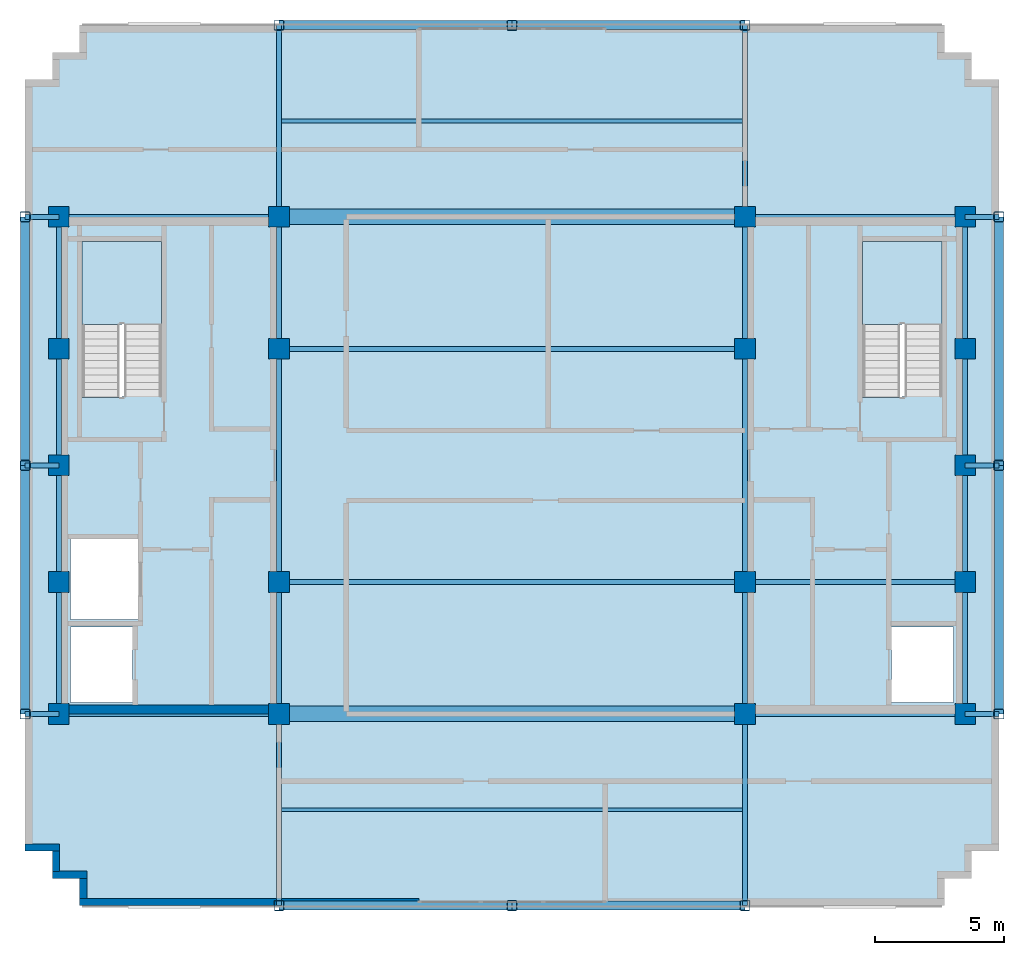
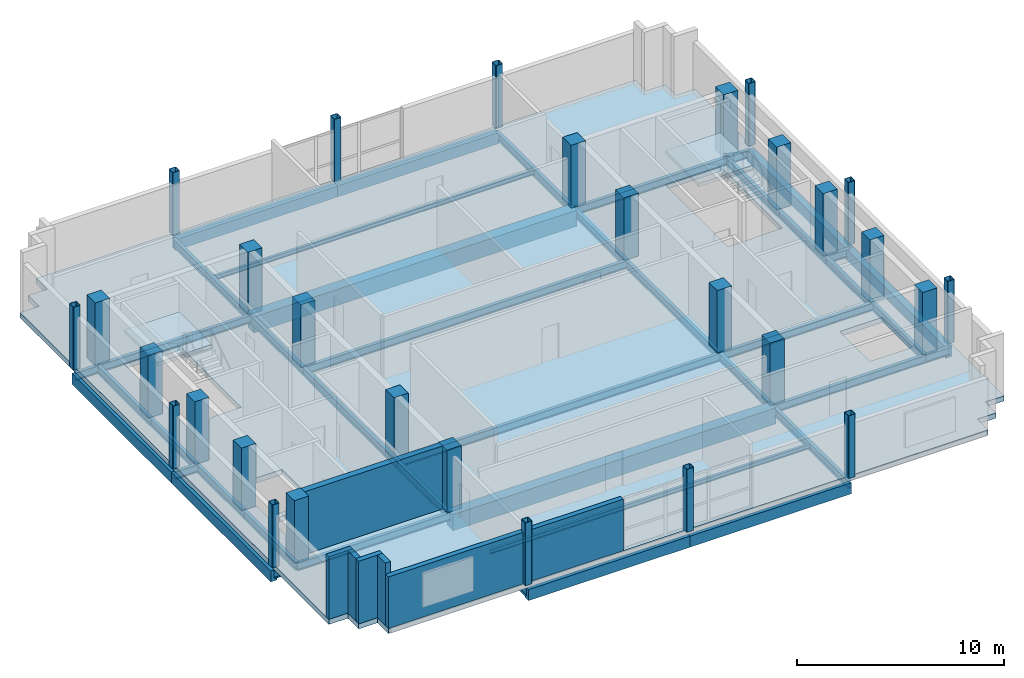
# One storey, part 1 of 10: 43 beams, 30 columns, 6 walls, 3 slabs, 2 elements without a shape of their own.
"""IFC4 building model written with IfcOpenShell, lengths in metres."""

from ifc_helpers import new_model, si_unit, direction, frame, frame_2d, origin, origin_2d, place, context, subcontext, project, spatial, polyline, rectangle, hollow_rectangle, i_section, outline, extrude, material, layer, layer_set, material_profile, profile_set, type_object, element, aggregate, save


model = new_model("IFC4")

# Units and contexts
model_context = context("Model", 3, precision=1e-05, world=origin(), true_north=direction((0.0, 1.0)))
body_context = subcontext(model_context, "Body", "Model", "MODEL_VIEW")
ifc_project = project(units=[si_unit("LENGTHUNIT", "METRE"), si_unit("AREAUNIT", "SQUARE_METRE"), si_unit("VOLUMEUNIT", "CUBIC_METRE"), si_unit("PLANEANGLEUNIT", "RADIAN"), si_unit("MASSUNIT", "GRAM", prefix="KILO")], contexts=[model_context])

# Site, building, storey
site_placement = place(None, origin())
site = spatial("IfcSite", under=ifc_project, at=site_placement, CompositionType="ELEMENT")
building_placement = place(site_placement, origin())
building = spatial("IfcBuilding", under=site, at=building_placement, Name="Nuvemarco Arch Tower", CompositionType="ELEMENT")
storey_placement = place(building_placement, frame((0.0, 0.0, 299.14990234375)))
storey = spatial("IfcBuildingStorey", under=building, at=storey_placement, Name="L79", CompositionType="ELEMENT", Elevation=299.14990234375)

# Columns
ifc_material_1 = material(Name="Concrete C50/60", Category="concrete")
ifc_material_profile_1 = material_profile(ifc_material_1, rectangle(XDim=0.800048828125, YDim=0.800048828125, at=origin_2d()), Name="RC-COL-800x800")
ifc_profile_set_1 = profile_set([ifc_material_profile_1], Name="Concrete C50/60")
column_type_1 = type_object("IfcColumnType", Name="COL-CORE-800", PredefinedType="COLUMN", material=ifc_profile_set_1)
for number, where, z_axis, x_axis, name in (
    (1, (-17.5, -9.60009765625, 0.0), (0.0, 0.0, 1.0), (1.0, 0.0, 0.0), "L79 column CC_-17.5_-9.6"),
    (2, (-17.5, -4.5, 0.0), (0.0, 0.0, 1.0), (1.0, 0.0, 0.0), "L79 column CC_-17.5_-4.5"),
    (3, (-17.5, 4.5, 0.0), (0.0, 0.0, 1.0), (1.0, 0.0, 0.0), "L79 column CC_-17.5_+4.5"),
    (4, (-17.5, 9.60009765625, 0.0), (0.0, 0.0, 1.0), (1.0, 0.0, 0.0), "L79 column CC_-17.5_+9.6"),
    (5, (-9.0, -9.60009765625, 0.0), (0.0, 0.0, 1.0), (1.0, 0.0, 0.0), "L79 column CC_-9.0_-9.6"),
    (6, (-9.0, -4.5, 0.0), (0.0, 0.0, 1.0), (1.0, 0.0, 0.0), "L79 column CC_-9.0_-4.5"),
    (7, (-9.0, 4.5, 0.0), (0.0, 0.0, 1.0), (1.0, 0.0, 0.0), "L79 column CC_-9.0_+4.5"),
    (8, (-9.0, 9.60009765625, 0.0), (0.0, 0.0, 1.0), (1.0, 0.0, 0.0), "L79 column CC_-9.0_+9.6"),
    (9, (9.0, -9.60009765625, 0.0), (0.0, 0.0, 1.0), (1.0, 0.0, 0.0), "L79 column CC_+9.0_-9.6"),
    (10, (9.0, -4.5, 0.0), (0.0, 0.0, 1.0), (1.0, 0.0, 0.0), "L79 column CC_+9.0_-4.5"),
    (11, (9.0, 4.5, 0.0), (0.0, 0.0, 1.0), (1.0, 0.0, 0.0), "L79 column CC_+9.0_+4.5"),
    (12, (9.0, 9.60009765625, 0.0), (0.0, 0.0, 1.0), (1.0, 0.0, 0.0), "L79 column CC_+9.0_+9.6"),
    (13, (17.5, -9.60009765625, 0.0), (0.0, 0.0, 1.0), (1.0, 0.0, 0.0), "L79 column CC_+17.5_-9.6"),
    (14, (17.5, -4.5, 0.0), (0.0, 0.0, 1.0), (1.0, 0.0, 0.0), "L79 column CC_+17.5_-4.5"),
    (15, (17.5, 4.5, 0.0), (0.0, 0.0, 1.0), (1.0, 0.0, 0.0), "L79 column CC_+17.5_+4.5"),
    (16, (17.5, 9.60009765625, 0.0), (0.0, 0.0, 1.0), (1.0, 0.0, 0.0), "L79 column CC_+17.5_+9.6"),
    (17, (-17.5, 0.0, 0.0), (0.0, 0.0, 1.0), (1.0, 0.0, 0.0), "L79 column CC_-17.5_+0.0"),
    (18, (17.5, 0.0, 0.0), (0.0, 0.0, 1.0), (1.0, 0.0, 0.0), "L79 column CC_+17.5_+0.0"),
):
    element("IfcColumn", number, at=place(storey_placement, frame(where, z_axis=z_axis, x_axis=x_axis)), inside=storey, type_object=column_type_1, Name=name, PredefinedType="COLUMN", context=body_context, shape_type="SweptSolid", body=[
        extrude(rectangle(XDim=0.800048828125, YDim=0.800048828125, at=origin_2d()), origin(), (0.0, 0.0, 1.0), 3.7001953125),
    ])
ifc_material_2 = material(Name="Steel S355", Category="steel")
ifc_material_profile_2 = material_profile(ifc_material_2, hollow_rectangle(XDim=0.39990234375, YDim=0.39990234375, WallThickness=0.02490234375, InnerFilletRadius=0.02490234375, OuterFilletRadius=0.050048828125, at=origin_2d()), Name="SHS400x400x25")
ifc_profile_set_2 = profile_set([ifc_material_profile_2], Name="Steel S355")
column_type_2 = type_object("IfcColumnType", Name="COL-EXO-400", PredefinedType="COLUMN", material=ifc_profile_set_2)
for number, where, z_axis, x_axis, name in (
    (19, (-18.800048828125, -9.60009765625, 0.0), (0.0, 0.0, 1.0), (1.0, 0.0, 0.0), "L79 column CX_-18.8_-9.6"),
    (20, (-18.800048828125, 0.0, 0.0), (0.0, 0.0, 1.0), (1.0, 0.0, 0.0), "L79 column CX_-18.8_+0.0"),
    (21, (-18.800048828125, 9.60009765625, 0.0), (0.0, 0.0, 1.0), (1.0, 0.0, 0.0), "L79 column CX_-18.8_+9.6"),
    (22, (18.800048828125, -9.60009765625, 0.0), (0.0, 0.0, 1.0), (1.0, 0.0, 0.0), "L79 column CX_+18.8_-9.6"),
    (23, (18.800048828125, 0.0, 0.0), (0.0, 0.0, 1.0), (1.0, 0.0, 0.0), "L79 column CX_+18.8_+0.0"),
    (24, (18.800048828125, 9.60009765625, 0.0), (0.0, 0.0, 1.0), (1.0, 0.0, 0.0), "L79 column CX_+18.8_+9.6"),
    (25, (-9.0, -17.0, 0.0), (0.0, 0.0, 1.0), (1.0, 0.0, 0.0), "L79 column CY_-9.0_-17.0"),
    (26, (0.0, -17.0, 0.0), (0.0, 0.0, 1.0), (1.0, 0.0, 0.0), "L79 column CY_+0.0_-17.0"),
    (27, (9.0, -17.0, 0.0), (0.0, 0.0, 1.0), (1.0, 0.0, 0.0), "L79 column CY_+9.0_-17.0"),
    (28, (-9.0, 17.0, 0.0), (0.0, 0.0, 1.0), (1.0, 0.0, 0.0), "L79 column CY_-9.0_+17.0"),
    (29, (0.0, 17.0, 0.0), (0.0, 0.0, 1.0), (1.0, 0.0, 0.0), "L79 column CY_+0.0_+17.0"),
    (30, (9.0, 17.0, 0.0), (0.0, 0.0, 1.0), (1.0, 0.0, 0.0), "L79 column CY_+9.0_+17.0"),
):
    element("IfcColumn", number, at=place(storey_placement, frame(where, z_axis=z_axis, x_axis=x_axis)), inside=storey, type_object=column_type_2, Name=name, PredefinedType="COLUMN", context=body_context, shape_type="SweptSolid", body=[
        extrude(hollow_rectangle(XDim=0.39990234375, YDim=0.39990234375, WallThickness=0.02490234375, InnerFilletRadius=0.02490234375, OuterFilletRadius=0.050048828125, at=origin_2d()), origin(), (0.0, 0.0, 1.0), 3.7001953125),
    ])

# Beams
ifc_material_3 = material(Name="Concrete C60/75", Category="concrete")
ifc_material_profile_3 = material_profile(ifc_material_3, rectangle(XDim=0.60009765625, YDim=0.949951171875, at=origin_2d()), Name="RC-BM-600x950")
ifc_profile_set_3 = profile_set([ifc_material_profile_3], Name="Concrete C60/75")
beam_type_1 = type_object("IfcBeamType", Name="BM-COUP-RC", PredefinedType="LINTEL", material=ifc_profile_set_3)
for number, where, z_axis, x_axis, name in (
    (31, (-9.0, -9.60009765625, -0.77490234375), (1.0, 0.0, 0.0), (0.0, 1.0, 0.0), "L79 structural beam BGEW_L79_0_-9.6_-9.0"),
    (32, (-9.0, 9.60009765625, -0.77490234375), (1.0, 0.0, 0.0), (0.0, 1.0, 0.0), "L79 structural beam BGEW_L79_0_+9.6_-9.0"),
):
    element("IfcBeam", number, at=place(storey_placement, frame(where, z_axis=z_axis, x_axis=x_axis)), inside=storey, type_object=beam_type_1, Name=name, PredefinedType="LINTEL", context=body_context, shape_type="SweptSolid", body=[
        extrude(rectangle(XDim=0.60009765625, YDim=0.949951171875, at=origin_2d()), origin(), (0.0, 0.0, 1.0), 18.0),
    ])
ifc_material_profile_4 = material_profile(ifc_material_2, i_section(OverallWidth=0.19189453125, OverallDepth=0.462890625, WebThickness=0.010498046875, FlangeThickness=0.017578125, FilletRadius=0.014892578125, at=origin_2d()), Name="W460x89")
ifc_profile_set_4 = profile_set([ifc_material_profile_4], Name="Steel S355")
beam_type_2 = type_object("IfcBeamType", Name="BM-GIRD-460", PredefinedType="BEAM", material=ifc_profile_set_4)
beam_1_placement = place(storey_placement, frame((-17.5, -9.60009765625, -0.531494140625), z_axis=(0.0, 1.0, 0.0), x_axis=(-1.0, 0.0, 0.0)))
element("IfcBeam", 33, at=beam_1_placement, inside=storey, type_object=beam_type_2, Name="L79 structural beam BGNS_L79_0_-17.5_-9.6", PredefinedType="BEAM", context=body_context, shape_type="SweptSolid", body=[
    extrude(i_section(OverallWidth=0.19189453125, OverallDepth=0.462890625, WebThickness=0.010498046875, FlangeThickness=0.017578125, FilletRadius=0.014892578125, at=origin_2d()), origin(), (0.0, 0.0, 1.0), 5.10009765625),
])
for number, where, z_axis, x_axis, name in (
    (34, (-17.5, -4.5, -0.531494140625), (0.0, 1.0, 0.0), (-1.0, 0.0, 0.0), "L79 structural beam BGNS_L79_0_-17.5_-4.5"),
    (35, (-17.5, 0.0, -0.531494140625), (0.0, 1.0, 0.0), (-1.0, 0.0, 0.0), "L79 structural beam BGNS_L79_0_-17.5_+0.0"),
):
    element("IfcBeam", number, at=place(storey_placement, frame(where, z_axis=z_axis, x_axis=x_axis)), inside=storey, type_object=beam_type_2, Name=name, PredefinedType="BEAM", context=body_context, shape_type="SweptSolid", body=[
        extrude(i_section(OverallWidth=0.19189453125, OverallDepth=0.462890625, WebThickness=0.010498046875, FlangeThickness=0.017578125, FilletRadius=0.014892578125, at=origin_2d()), origin(), (0.0, 0.0, 1.0), 4.5),
    ])
beam_2_placement = place(storey_placement, frame((-17.5, 4.5, -0.531494140625), z_axis=(0.0, 1.0, 0.0), x_axis=(-1.0, 0.0, 0.0)))
element("IfcBeam", 36, at=beam_2_placement, inside=storey, type_object=beam_type_2, Name="L79 structural beam BGNS_L79_0_-17.5_+4.5", PredefinedType="BEAM", context=body_context, shape_type="SweptSolid", body=[
    extrude(i_section(OverallWidth=0.19189453125, OverallDepth=0.462890625, WebThickness=0.010498046875, FlangeThickness=0.017578125, FilletRadius=0.014892578125, at=origin_2d()), origin(), (0.0, 0.0, 1.0), 5.10009765625),
])
beam_3_placement = place(storey_placement, frame((-9.0, -17.0, -0.531494140625), z_axis=(0.0, 1.0, 0.0), x_axis=(-1.0, 0.0, 0.0)))
element("IfcBeam", 37, at=beam_3_placement, inside=storey, type_object=beam_type_2, Name="L79 structural beam BGNS_L79_0_-9.0_-17.0", PredefinedType="BEAM", context=body_context, shape_type="SweptSolid", body=[
    extrude(i_section(OverallWidth=0.19189453125, OverallDepth=0.462890625, WebThickness=0.010498046875, FlangeThickness=0.017578125, FilletRadius=0.014892578125, at=origin_2d()), origin(), (0.0, 0.0, 1.0), 7.39990234375),
])
beam_4_placement = place(storey_placement, frame((-9.0, -9.60009765625, -0.531494140625), z_axis=(0.0, 1.0, 0.0), x_axis=(-1.0, 0.0, 0.0)))
element("IfcBeam", 38, at=beam_4_placement, inside=storey, type_object=beam_type_2, Name="L79 structural beam BGNS_L79_0_-9.0_-9.6", PredefinedType="BEAM", context=body_context, shape_type="SweptSolid", body=[
    extrude(i_section(OverallWidth=0.19189453125, OverallDepth=0.462890625, WebThickness=0.010498046875, FlangeThickness=0.017578125, FilletRadius=0.014892578125, at=origin_2d()), origin(), (0.0, 0.0, 1.0), 5.10009765625),
])
beam_5_placement = place(storey_placement, frame((-9.0, -4.5, -0.531494140625), z_axis=(0.0, 1.0, 0.0), x_axis=(-1.0, 0.0, 0.0)))
element("IfcBeam", 39, at=beam_5_placement, inside=storey, type_object=beam_type_2, Name="L79 structural beam BGNS_L79_0_-9.0_-4.5", PredefinedType="BEAM", context=body_context, shape_type="SweptSolid", body=[
    extrude(i_section(OverallWidth=0.19189453125, OverallDepth=0.462890625, WebThickness=0.010498046875, FlangeThickness=0.017578125, FilletRadius=0.014892578125, at=origin_2d()), origin(), (0.0, 0.0, 1.0), 9.0),
])
beam_6_placement = place(storey_placement, frame((-9.0, 4.5, -0.531494140625), z_axis=(0.0, 1.0, 0.0), x_axis=(-1.0, 0.0, 0.0)))
element("IfcBeam", 40, at=beam_6_placement, inside=storey, type_object=beam_type_2, Name="L79 structural beam BGNS_L79_0_-9.0_+4.5", PredefinedType="BEAM", context=body_context, shape_type="SweptSolid", body=[
    extrude(i_section(OverallWidth=0.19189453125, OverallDepth=0.462890625, WebThickness=0.010498046875, FlangeThickness=0.017578125, FilletRadius=0.014892578125, at=origin_2d()), origin(), (0.0, 0.0, 1.0), 5.10009765625),
])
for number, where, z_axis, x_axis, name in (
    (41, (-9.0, 9.60009765625, -0.531494140625), (0.0, 1.0, 0.0), (-1.0, 0.0, 0.0), "L79 structural beam BGNS_L79_0_-9.0_+9.6"),
    (42, (9.0, -17.0, -0.531494140625), (0.0, 1.0, 0.0), (-1.0, 0.0, 0.0), "L79 structural beam BGNS_L79_0_+9.0_-17.0"),
):
    element("IfcBeam", number, at=place(storey_placement, frame(where, z_axis=z_axis, x_axis=x_axis)), inside=storey, type_object=beam_type_2, Name=name, PredefinedType="BEAM", context=body_context, shape_type="SweptSolid", body=[
        extrude(i_section(OverallWidth=0.19189453125, OverallDepth=0.462890625, WebThickness=0.010498046875, FlangeThickness=0.017578125, FilletRadius=0.014892578125, at=origin_2d()), origin(), (0.0, 0.0, 1.0), 7.39990234375),
    ])
beam_7_placement = place(storey_placement, frame((9.0, -9.60009765625, -0.531494140625), z_axis=(0.0, 1.0, 0.0), x_axis=(-1.0, 0.0, 0.0)))
element("IfcBeam", 43, at=beam_7_placement, inside=storey, type_object=beam_type_2, Name="L79 structural beam BGNS_L79_0_+9.0_-9.6", PredefinedType="BEAM", context=body_context, shape_type="SweptSolid", body=[
    extrude(i_section(OverallWidth=0.19189453125, OverallDepth=0.462890625, WebThickness=0.010498046875, FlangeThickness=0.017578125, FilletRadius=0.014892578125, at=origin_2d()), origin(), (0.0, 0.0, 1.0), 5.10009765625),
])
beam_8_placement = place(storey_placement, frame((9.0, -4.5, -0.531494140625), z_axis=(0.0, 1.0, 0.0), x_axis=(-1.0, 0.0, 0.0)))
element("IfcBeam", 44, at=beam_8_placement, inside=storey, type_object=beam_type_2, Name="L79 structural beam BGNS_L79_0_+9.0_-4.5", PredefinedType="BEAM", context=body_context, shape_type="SweptSolid", body=[
    extrude(i_section(OverallWidth=0.19189453125, OverallDepth=0.462890625, WebThickness=0.010498046875, FlangeThickness=0.017578125, FilletRadius=0.014892578125, at=origin_2d()), origin(), (0.0, 0.0, 1.0), 9.0),
])
beam_9_placement = place(storey_placement, frame((9.0, 4.5, -0.531494140625), z_axis=(0.0, 1.0, 0.0), x_axis=(-1.0, 0.0, 0.0)))
element("IfcBeam", 45, at=beam_9_placement, inside=storey, type_object=beam_type_2, Name="L79 structural beam BGNS_L79_0_+9.0_+4.5", PredefinedType="BEAM", context=body_context, shape_type="SweptSolid", body=[
    extrude(i_section(OverallWidth=0.19189453125, OverallDepth=0.462890625, WebThickness=0.010498046875, FlangeThickness=0.017578125, FilletRadius=0.014892578125, at=origin_2d()), origin(), (0.0, 0.0, 1.0), 5.10009765625),
])
beam_10_placement = place(storey_placement, frame((9.0, 9.60009765625, -0.531494140625), z_axis=(0.0, 1.0, 0.0), x_axis=(-1.0, 0.0, 0.0)))
element("IfcBeam", 46, at=beam_10_placement, inside=storey, type_object=beam_type_2, Name="L79 structural beam BGNS_L79_0_+9.0_+9.6", PredefinedType="BEAM", context=body_context, shape_type="SweptSolid", body=[
    extrude(i_section(OverallWidth=0.19189453125, OverallDepth=0.462890625, WebThickness=0.010498046875, FlangeThickness=0.017578125, FilletRadius=0.014892578125, at=origin_2d()), origin(), (0.0, 0.0, 1.0), 7.39990234375),
])
beam_11_placement = place(storey_placement, frame((17.5, -9.60009765625, -0.531494140625), z_axis=(0.0, 1.0, 0.0), x_axis=(-1.0, 0.0, 0.0)))
element("IfcBeam", 47, at=beam_11_placement, inside=storey, type_object=beam_type_2, Name="L79 structural beam BGNS_L79_0_+17.5_-9.6", PredefinedType="BEAM", context=body_context, shape_type="SweptSolid", body=[
    extrude(i_section(OverallWidth=0.19189453125, OverallDepth=0.462890625, WebThickness=0.010498046875, FlangeThickness=0.017578125, FilletRadius=0.014892578125, at=origin_2d()), origin(), (0.0, 0.0, 1.0), 5.10009765625),
])
for number, where, z_axis, x_axis, name in (
    (48, (17.5, -4.5, -0.531494140625), (0.0, 1.0, 0.0), (-1.0, 0.0, 0.0), "L79 structural beam BGNS_L79_0_+17.5_-4.5"),
    (49, (17.5, 0.0, -0.531494140625), (0.0, 1.0, 0.0), (-1.0, 0.0, 0.0), "L79 structural beam BGNS_L79_0_+17.5_+0.0"),
):
    element("IfcBeam", number, at=place(storey_placement, frame(where, z_axis=z_axis, x_axis=x_axis)), inside=storey, type_object=beam_type_2, Name=name, PredefinedType="BEAM", context=body_context, shape_type="SweptSolid", body=[
        extrude(i_section(OverallWidth=0.19189453125, OverallDepth=0.462890625, WebThickness=0.010498046875, FlangeThickness=0.017578125, FilletRadius=0.014892578125, at=origin_2d()), origin(), (0.0, 0.0, 1.0), 4.5),
    ])
beam_12_placement = place(storey_placement, frame((17.5, 4.5, -0.531494140625), z_axis=(0.0, 1.0, 0.0), x_axis=(-1.0, 0.0, 0.0)))
element("IfcBeam", 50, at=beam_12_placement, inside=storey, type_object=beam_type_2, Name="L79 structural beam BGNS_L79_0_+17.5_+4.5", PredefinedType="BEAM", context=body_context, shape_type="SweptSolid", body=[
    extrude(i_section(OverallWidth=0.19189453125, OverallDepth=0.462890625, WebThickness=0.010498046875, FlangeThickness=0.017578125, FilletRadius=0.014892578125, at=origin_2d()), origin(), (0.0, 0.0, 1.0), 5.10009765625),
])
beam_13_placement = place(storey_placement, frame((-18.800048828125, -9.60009765625, -0.531494140625), z_axis=(1.0, 0.0, 0.0), x_axis=(0.0, 1.0, 0.0)))
element("IfcBeam", 51, at=beam_13_placement, inside=storey, type_object=beam_type_2, Name="L79 structural beam BGEW_L79_0_-9.6_-18.8", PredefinedType="BEAM", context=body_context, shape_type="SweptSolid", body=[
    extrude(i_section(OverallWidth=0.19189453125, OverallDepth=0.462890625, WebThickness=0.010498046875, FlangeThickness=0.017578125, FilletRadius=0.014892578125, at=origin_2d()), origin(), (0.0, 0.0, 1.0), 1.300048828125),
])
for number, where, z_axis, x_axis, name in (
    (52, (-17.5, -9.60009765625, -0.531494140625), (1.0, 0.0, 0.0), (0.0, 1.0, 0.0), "L79 structural beam BGEW_L79_0_-9.6_-17.5"),
    (53, (9.0, -9.60009765625, -0.531494140625), (1.0, 0.0, 0.0), (0.0, 1.0, 0.0), "L79 structural beam BGEW_L79_0_-9.6_+9.0"),
):
    element("IfcBeam", number, at=place(storey_placement, frame(where, z_axis=z_axis, x_axis=x_axis)), inside=storey, type_object=beam_type_2, Name=name, PredefinedType="BEAM", context=body_context, shape_type="SweptSolid", body=[
        extrude(i_section(OverallWidth=0.19189453125, OverallDepth=0.462890625, WebThickness=0.010498046875, FlangeThickness=0.017578125, FilletRadius=0.014892578125, at=origin_2d()), origin(), (0.0, 0.0, 1.0), 8.5),
    ])
beam_14_placement = place(storey_placement, frame((17.5, -9.60009765625, -0.531494140625), z_axis=(1.0, 0.0, 0.0), x_axis=(0.0, 1.0, 0.0)))
element("IfcBeam", 54, at=beam_14_placement, inside=storey, type_object=beam_type_2, Name="L79 structural beam BGEW_L79_0_-9.6_+17.5", PredefinedType="BEAM", context=body_context, shape_type="SweptSolid", body=[
    extrude(i_section(OverallWidth=0.19189453125, OverallDepth=0.462890625, WebThickness=0.010498046875, FlangeThickness=0.017578125, FilletRadius=0.014892578125, at=origin_2d()), origin(), (0.0, 0.0, 1.0), 1.300048828125),
])
beam_15_placement = place(storey_placement, frame((-9.0, -4.5, -0.531494140625), z_axis=(1.0, 0.0, 0.0), x_axis=(0.0, 1.0, 0.0)))
element("IfcBeam", 55, at=beam_15_placement, inside=storey, type_object=beam_type_2, Name="L79 structural beam BGEW_L79_0_-4.5_-9.0", PredefinedType="BEAM", context=body_context, shape_type="SweptSolid", body=[
    extrude(i_section(OverallWidth=0.19189453125, OverallDepth=0.462890625, WebThickness=0.010498046875, FlangeThickness=0.017578125, FilletRadius=0.014892578125, at=origin_2d()), origin(), (0.0, 0.0, 1.0), 18.0),
])
beam_16_placement = place(storey_placement, frame((9.0, -4.5, -0.531494140625), z_axis=(1.0, 0.0, 0.0), x_axis=(0.0, 1.0, 0.0)))
element("IfcBeam", 56, at=beam_16_placement, inside=storey, type_object=beam_type_2, Name="L79 structural beam BGEW_L79_0_-4.5_+9.0", PredefinedType="BEAM", context=body_context, shape_type="SweptSolid", body=[
    extrude(i_section(OverallWidth=0.19189453125, OverallDepth=0.462890625, WebThickness=0.010498046875, FlangeThickness=0.017578125, FilletRadius=0.014892578125, at=origin_2d()), origin(), (0.0, 0.0, 1.0), 8.5),
])
for number, where, z_axis, x_axis, name in (
    (57, (-18.800048828125, 0.0, -0.531494140625), (1.0, 0.0, 0.0), (0.0, 1.0, 0.0), "L79 structural beam BGEW_L79_0_+0.0_-18.8"),
    (58, (17.5, 0.0, -0.531494140625), (1.0, 0.0, 0.0), (0.0, 1.0, 0.0), "L79 structural beam BGEW_L79_0_+0.0_+17.5"),
):
    element("IfcBeam", number, at=place(storey_placement, frame(where, z_axis=z_axis, x_axis=x_axis)), inside=storey, type_object=beam_type_2, Name=name, PredefinedType="BEAM", context=body_context, shape_type="SweptSolid", body=[
        extrude(i_section(OverallWidth=0.19189453125, OverallDepth=0.462890625, WebThickness=0.010498046875, FlangeThickness=0.017578125, FilletRadius=0.014892578125, at=origin_2d()), origin(), (0.0, 0.0, 1.0), 1.300048828125),
    ])
beam_17_placement = place(storey_placement, frame((-9.0, 4.5, -0.531494140625), z_axis=(1.0, 0.0, 0.0), x_axis=(0.0, 1.0, 0.0)))
element("IfcBeam", 59, at=beam_17_placement, inside=storey, type_object=beam_type_2, Name="L79 structural beam BGEW_L79_0_+4.5_-9.0", PredefinedType="BEAM", context=body_context, shape_type="SweptSolid", body=[
    extrude(i_section(OverallWidth=0.19189453125, OverallDepth=0.462890625, WebThickness=0.010498046875, FlangeThickness=0.017578125, FilletRadius=0.014892578125, at=origin_2d()), origin(), (0.0, 0.0, 1.0), 18.0),
])
beam_18_placement = place(storey_placement, frame((-18.800048828125, 9.60009765625, -0.531494140625), z_axis=(1.0, 0.0, 0.0), x_axis=(0.0, 1.0, 0.0)))
element("IfcBeam", 60, at=beam_18_placement, inside=storey, type_object=beam_type_2, Name="L79 structural beam BGEW_L79_0_+9.6_-18.8", PredefinedType="BEAM", context=body_context, shape_type="SweptSolid", body=[
    extrude(i_section(OverallWidth=0.19189453125, OverallDepth=0.462890625, WebThickness=0.010498046875, FlangeThickness=0.017578125, FilletRadius=0.014892578125, at=origin_2d()), origin(), (0.0, 0.0, 1.0), 1.300048828125),
])
for number, where, z_axis, x_axis, name in (
    (61, (-17.5, 9.60009765625, -0.531494140625), (1.0, 0.0, 0.0), (0.0, 1.0, 0.0), "L79 structural beam BGEW_L79_0_+9.6_-17.5"),
    (62, (9.0, 9.60009765625, -0.531494140625), (1.0, 0.0, 0.0), (0.0, 1.0, 0.0), "L79 structural beam BGEW_L79_0_+9.6_+9.0"),
):
    element("IfcBeam", number, at=place(storey_placement, frame(where, z_axis=z_axis, x_axis=x_axis)), inside=storey, type_object=beam_type_2, Name=name, PredefinedType="BEAM", context=body_context, shape_type="SweptSolid", body=[
        extrude(i_section(OverallWidth=0.19189453125, OverallDepth=0.462890625, WebThickness=0.010498046875, FlangeThickness=0.017578125, FilletRadius=0.014892578125, at=origin_2d()), origin(), (0.0, 0.0, 1.0), 8.5),
    ])
beam_19_placement = place(storey_placement, frame((17.5, 9.60009765625, -0.531494140625), z_axis=(1.0, 0.0, 0.0), x_axis=(0.0, 1.0, 0.0)))
element("IfcBeam", 63, at=beam_19_placement, inside=storey, type_object=beam_type_2, Name="L79 structural beam BGEW_L79_0_+9.6_+17.5", PredefinedType="BEAM", context=body_context, shape_type="SweptSolid", body=[
    extrude(i_section(OverallWidth=0.19189453125, OverallDepth=0.462890625, WebThickness=0.010498046875, FlangeThickness=0.017578125, FilletRadius=0.014892578125, at=origin_2d()), origin(), (0.0, 0.0, 1.0), 1.300048828125),
])
ifc_material_profile_5 = material_profile(ifc_material_2, i_section(OverallWidth=0.14794921875, OverallDepth=0.26611328125, WebThickness=0.007568359375, FlangeThickness=0.012939453125, FilletRadius=0.010009765625, at=origin_2d()), Name="W250x44.8")
ifc_profile_set_5 = profile_set([ifc_material_profile_5], Name="Steel S355")
beam_type_3 = type_object("IfcBeamType", Name="BM-JOIST-250", PredefinedType="JOIST", material=ifc_profile_set_5)
for number, where, z_axis, x_axis, name in (
    (64, (-8.904052734375, -13.300048828125, -0.432861328125), (1.0, 0.0, 0.0), (0.0, 1.0, 0.0), "L79 structural beam BJ_L79_0_-13.3_-9.0"),
    (65, (-8.904052734375, 13.300048828125, -0.432861328125), (1.0, 0.0, 0.0), (0.0, 1.0, 0.0), "L79 structural beam BJ_L79_0_+13.3_-9.0"),
):
    element("IfcBeam", number, at=place(storey_placement, frame(where, z_axis=z_axis, x_axis=x_axis)), inside=storey, type_object=beam_type_3, Name=name, PredefinedType="JOIST", context=body_context, shape_type="SweptSolid", body=[
        extrude(i_section(OverallWidth=0.14794921875, OverallDepth=0.26611328125, WebThickness=0.007568359375, FlangeThickness=0.012939453125, FilletRadius=0.010009765625, at=origin_2d()), origin(), (0.0, 0.0, 1.0), 17.80810546875),
    ])
ifc_material_4 = material(Name="Precast concrete C45/55", Category="concrete")
ifc_material_profile_6 = material_profile(ifc_material_4, rectangle(XDim=0.35009765625, YDim=0.64990234375, at=origin_2d()), Name="PC-SP-350x650")
ifc_profile_set_6 = profile_set([ifc_material_profile_6], Name="Precast concrete C45/55")
beam_type_4 = type_object("IfcBeamType", Name="BM-SPAN-RC", PredefinedType="SPANDREL", material=ifc_profile_set_6)
for number, where, z_axis, x_axis, name in (
    (66, (-18.800048828125, -9.60009765625, -0.625), (0.0, 1.0, 0.0), (-1.0, 0.0, 0.0), "L79 structural beam BGNS_L79_0_-18.8_-9.6"),
    (67, (-18.800048828125, 0.0, -0.625), (0.0, 1.0, 0.0), (-1.0, 0.0, 0.0), "L79 structural beam BGNS_L79_0_-18.8_+0.0"),
    (68, (18.800048828125, -9.60009765625, -0.625), (0.0, 1.0, 0.0), (-1.0, 0.0, 0.0), "L79 structural beam BGNS_L79_0_+18.8_-9.6"),
    (69, (18.800048828125, 0.0, -0.625), (0.0, 1.0, 0.0), (-1.0, 0.0, 0.0), "L79 structural beam BGNS_L79_0_+18.8_+0.0"),
):
    element("IfcBeam", number, at=place(storey_placement, frame(where, z_axis=z_axis, x_axis=x_axis)), inside=storey, type_object=beam_type_4, Name=name, PredefinedType="SPANDREL", context=body_context, shape_type="SweptSolid", body=[
        extrude(rectangle(XDim=0.35009765625, YDim=0.64990234375, at=origin_2d()), origin(), (0.0, 0.0, 1.0), 9.60009765625),
    ])
for number, where, z_axis, x_axis, name in (
    (70, (-9.0, -17.0, -0.625), (1.0, 0.0, 0.0), (0.0, 1.0, 0.0), "L79 structural beam BGEW_L79_0_-17.0_-9.0"),
    (71, (0.0, -17.0, -0.625), (1.0, 0.0, 0.0), (0.0, 1.0, 0.0), "L79 structural beam BGEW_L79_0_-17.0_+0.0"),
    (72, (-9.0, 17.0, -0.625), (1.0, 0.0, 0.0), (0.0, 1.0, 0.0), "L79 structural beam BGEW_L79_0_+17.0_-9.0"),
    (73, (0.0, 17.0, -0.625), (1.0, 0.0, 0.0), (0.0, 1.0, 0.0), "L79 structural beam BGEW_L79_0_+17.0_+0.0"),
):
    element("IfcBeam", number, at=place(storey_placement, frame(where, z_axis=z_axis, x_axis=x_axis)), inside=storey, type_object=beam_type_4, Name=name, PredefinedType="SPANDREL", context=body_context, shape_type="SweptSolid", body=[
        extrude(rectangle(XDim=0.35009765625, YDim=0.64990234375, at=origin_2d()), origin(), (0.0, 0.0, 1.0), 9.0),
    ])

# Slab
ifc_layer_1 = layer(ifc_material_1, 0.300048828125, Name="SL-FLR-300")
ifc_layer_set_1 = layer_set([ifc_layer_1], Name="Concrete C50/60")
slab_type_1 = type_object("IfcSlabType", Name="SL-FLR-300", PredefinedType="FLOOR", material=ifc_layer_set_1)
slab_1_placement = place(storey_placement, frame((0.0, 0.0, -0.2998046875)))
element("IfcSlab", 74, at=slab_1_placement, inside=storey, type_object=slab_type_1, Name="L79 structural floor slab", PredefinedType="FLOOR", context=body_context, shape_type="SweptSolid", body=[
    extrude(outline(polyline([(-16.699951171875, -17.0), (16.699951171875, -17.0), (16.699951171875, -15.949951171875), (17.75, -15.949951171875), (17.75, -14.89990234375), (18.800048828125, -14.89990234375), (18.800048828125, 14.89990234375), (17.75, 14.89990234375), (17.75, 15.949951171875), (16.699951171875, 15.949951171875), (16.699951171875, 17.0), (-16.699951171875, 17.0), (-16.699951171875, 15.949951171875), (-17.75, 15.949951171875), (-17.75, 14.89990234375), (-18.800048828125, 14.89990234375), (-18.800048828125, -14.89990234375), (-17.75, -14.89990234375), (-17.75, -15.949951171875), (-16.699951171875, -15.949951171875), (-16.699951171875, -17.0)]), holes=[polyline([(-13.5400390625, 2.669921875), (-13.5400390625, 8.64990234375), (-16.60009765625, 8.64990234375), (-16.60009765625, 2.630615234375), (-15.070068359375, 2.630615234375), (-15.070068359375, 2.669921875), (-13.5400390625, 2.669921875)]), polyline([(16.60009765625, 2.669921875), (16.60009765625, 8.64990234375), (13.5400390625, 8.64990234375), (13.5400390625, 2.630615234375), (15.070068359375, 2.630615234375), (15.070068359375, 2.669921875), (16.60009765625, 2.669921875)]), polyline([(-17.050048828125, -9.14990234375), (-14.64990234375, -9.14990234375), (-14.64990234375, -6.25), (-17.050048828125, -6.25), (-17.050048828125, -9.14990234375)]), polyline([(-17.050048828125, -5.949951171875), (-14.449951171875, -5.949951171875), (-14.449951171875, -2.85009765625), (-17.050048828125, -2.85009765625), (-17.050048828125, -5.949951171875)]), polyline([(14.64990234375, -9.14990234375), (17.050048828125, -9.14990234375), (17.050048828125, -6.25), (14.64990234375, -6.25), (14.64990234375, -9.14990234375)])]), origin(), (0.0, 0.0, 1.0), 0.2998046875),
])

# Stair, slab
stair_type = type_object("IfcStairType", Name="ST-CORE-22R", PredefinedType="HALF_TURN_STAIR", material=ifc_material_4)
stair_1_placement = place(storey_placement, origin())
stair_1 = element("IfcStair", 75, at=stair_1_placement, inside=storey, type_object=stair_type, Name="L79 Protected Exit Stair ST-1", PredefinedType="HALF_TURN_STAIR")
ifc_layer_2 = layer(ifc_material_4, 0.199951171875, Name="SL-LANDING-200")
ifc_layer_set_2 = layer_set([ifc_layer_2], Name="Precast concrete C45/55")
slab_type_2 = type_object("IfcSlabType", Name="SL-LANDING-200", PredefinedType="LANDING", material=ifc_layer_set_2)
slab_2_placement = place(storey_placement, frame((0.0, 0.0, 1.800048828125)))
slab_2 = element("IfcSlab", 76, at=slab_2_placement, type_object=slab_type_2, Name="ST-22R landing 1", PredefinedType="LANDING", context=body_context, shape_type="SweptSolid", body=[
    extrude(outline(polyline([(-13.5400390625, 5.469482421875), (-13.5400390625, 8.64990234375), (-16.60009765625, 8.64990234375), (-16.60009765625, 5.449951171875), (-15.070068359375, 5.449951171875), (-15.070068359375, 5.469482421875), (-13.5400390625, 5.469482421875)])), origin(), (0.0, 0.0, 1.0), 0.199951171875),
])
aggregate(stair_1, [slab_2])

stair_2_placement = place(storey_placement, origin())
stair_2 = element("IfcStair", 77, at=stair_2_placement, inside=storey, type_object=stair_type, Name="L79 Protected Exit Stair ST-2", PredefinedType="HALF_TURN_STAIR")
slab_3_placement = place(storey_placement, frame((0.0, 0.0, 1.800048828125)))
slab_3 = element("IfcSlab", 78, at=slab_3_placement, type_object=slab_type_2, Name="ST-22R landing 1", PredefinedType="LANDING", context=body_context, shape_type="SweptSolid", body=[
    extrude(outline(polyline([(16.60009765625, 5.469482421875), (16.60009765625, 8.64990234375), (13.5400390625, 8.64990234375), (13.5400390625, 5.449951171875), (15.070068359375, 5.449951171875), (15.070068359375, 5.469482421875), (16.60009765625, 5.469482421875)])), origin(), (0.0, 0.0, 1.0), 0.199951171875),
])
aggregate(stair_2, [slab_3])

# Walls
ifc_layer_3 = layer(ifc_material_4, 0.280029296875, Name="EW-CRN-280")
ifc_layer_set_3 = layer_set([ifc_layer_3], Name="Precast concrete C45/55")
wall_type_1 = type_object("IfcWallType", Name="EW-CRN-280", PredefinedType="STANDARD", material=ifc_layer_set_3)
wall_1_placement = place(storey_placement, frame((-16.699951171875, -16.860107421875, 0.0), z_axis=(0.0, 0.0, 1.0), x_axis=(1.0, 0.0, 0.0)))
element("IfcWall", 79, at=wall_1_placement, inside=storey, type_object=wall_type_1, Name="L79 exterior precast pier wall south left", PredefinedType="STANDARD", context=body_context, shape_type="SweptSolid", body=[
    extrude(rectangle(XDim=13.099853515625, YDim=0.280029296875, at=frame_2d((6.5498046875, 0.0))), origin(), (0.0, 0.0, 1.0), 3.03515625),
])
wall_2_placement = place(storey_placement, frame((-18.800048828125, -14.760009765625, 0.0), z_axis=(0.0, 0.0, 1.0), x_axis=(1.0, 0.0, 0.0)))
element("IfcWall", 80, at=wall_2_placement, inside=storey, type_object=wall_type_1, Name="L79 exterior precast facade wall 17", PredefinedType="STANDARD", context=body_context, shape_type="SweptSolid", body=[
    extrude(rectangle(XDim=1.330078125, YDim=0.280029296875, at=frame_2d((0.6650390625, 0.0))), origin(), (0.0, 0.0, 1.0), 3.690185546875),
])
wall_3_placement = place(storey_placement, frame((-17.610107421875, -15.674072265625, 0.0), z_axis=(0.0, 0.0, 1.0), x_axis=(0.0, 1.0, 0.0)))
element("IfcWall", 81, at=wall_3_placement, inside=storey, type_object=wall_type_1, Name="L79 exterior precast facade wall 18", PredefinedType="STANDARD", context=body_context, shape_type="SweptSolid", body=[
    extrude(rectangle(XDim=0.778076171875, YDim=0.280029296875, at=frame_2d((0.38916015625, 0.0))), origin(), (0.0, 0.0, 1.0), 3.690185546875),
])
wall_4_placement = place(storey_placement, frame((-17.75, -15.81005859375, 0.0), z_axis=(0.0, 0.0, 1.0), x_axis=(1.0, 0.0, 0.0)))
element("IfcWall", 82, at=wall_4_placement, inside=storey, type_object=wall_type_1, Name="L79 exterior precast facade wall 19", PredefinedType="STANDARD", context=body_context, shape_type="SweptSolid", body=[
    extrude(rectangle(XDim=1.330078125, YDim=0.280029296875, at=frame_2d((0.6650390625, 0.0))), origin(), (0.0, 0.0, 1.0), 3.690185546875),
])
wall_5_placement = place(storey_placement, frame((-16.56005859375, -16.72412109375, 0.0), z_axis=(0.0, 0.0, 1.0), x_axis=(0.0, 1.0, 0.0)))
element("IfcWall", 83, at=wall_5_placement, inside=storey, type_object=wall_type_1, Name="L79 exterior precast facade wall 20", PredefinedType="STANDARD", context=body_context, shape_type="SweptSolid", body=[
    extrude(rectangle(XDim=0.778076171875, YDim=0.280029296875, at=frame_2d((0.38916015625, 0.0))), origin(), (0.0, 0.0, 1.0), 3.690185546875),
])
ifc_layer_4 = layer(ifc_material_1, 0.35009765625, Name="WL-CORE-350")
ifc_layer_set_4 = layer_set([ifc_layer_4], Name="Concrete C50/60")
wall_type_2 = type_object("IfcWallType", Name="WL-CORE-350", PredefinedType="SHEAR", material=ifc_layer_set_4)
wall_6_placement = place(storey_placement, frame((-17.5, -9.425048828125, 0.0), z_axis=(0.0, 0.0, 1.0), x_axis=(1.0, 0.0, 0.0)))
element("IfcWall", 84, at=wall_6_placement, inside=storey, type_object=wall_type_2, Name="L79 W-core shear wall S", PredefinedType="SHEAR", context=body_context, shape_type="SweptSolid", body=[
    extrude(rectangle(XDim=8.5, YDim=0.35009765625, at=frame_2d((4.25, 0.0))), origin(), (0.0, 0.0, 1.0), 3.7001953125),
])

save(model, "model.ifc")
